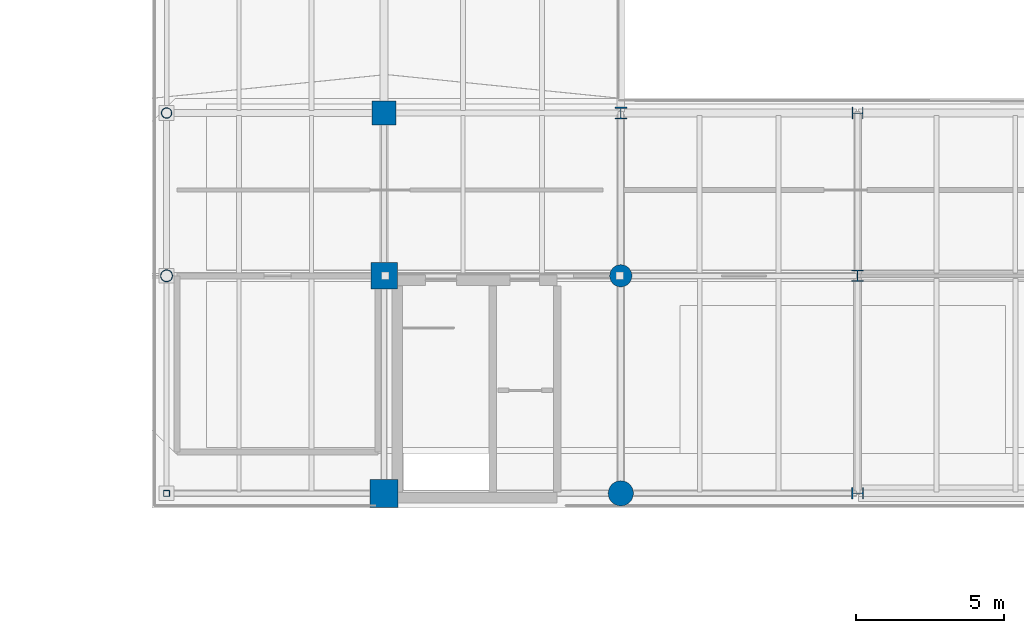
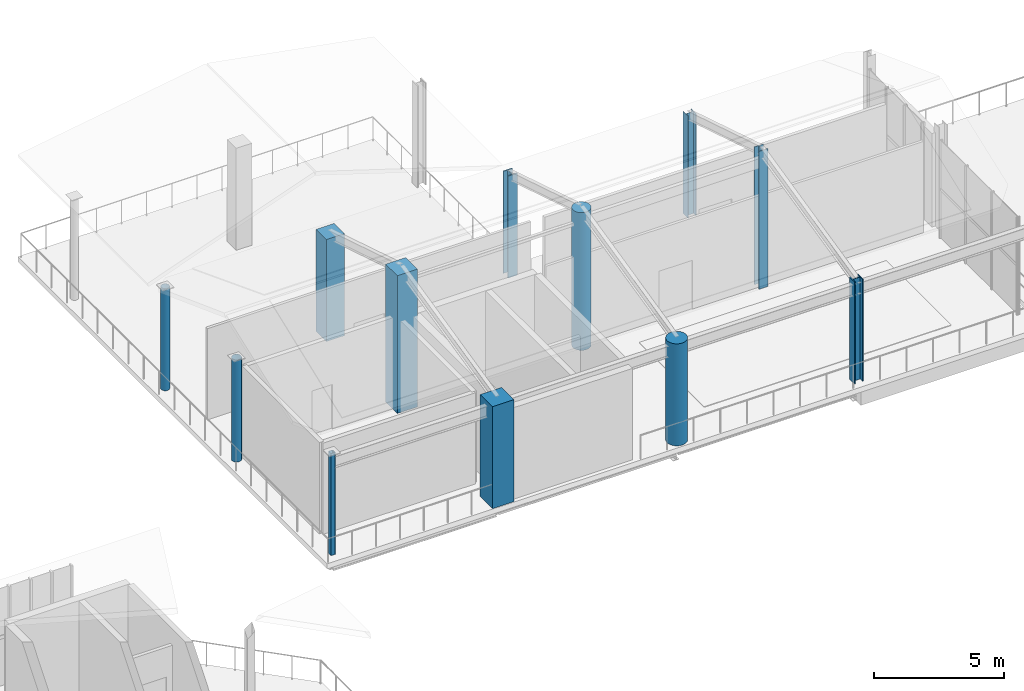
# One storey, part 5 of 30: 12 columns.
"""IFC4 building model written with IfcOpenShell, lengths in metres."""

import ifcopenshell
import ifcopenshell.guid

model = None  # the IFC model being written
_history = None  # IfcOwnerHistory: only IFC2X3 demands one
_inside = {}  # id of a spatial element -> (the spatial element, [elements in it])
_under = {}  # id of a project, library or spatial element -> (it, [spatial elements below it])
_declared = {}  # id of a project -> (the project, [libraries it declares])
_typed = {}  # id of a type object -> (the type object, [elements of that type])
_made_of = {}  # id of a material, layer set ... -> (it, [elements and type objects made of it])


def new_model(schema):
    """Start an empty IFC model of exactly this schema.

    Asked for "IFC4X3", IfcOpenShell would pick the latest addendum, in which some entities
    have other attributes; the version numbers below select the first issue.
    IFC2X3 requires an IfcOwnerHistory on every rooted entity: one is made here for all.
    """
    global model, _history
    if schema == "IFC4X3":
        model = ifcopenshell.file(schema_version=(4, 3, 0, 0))
    else:
        model = ifcopenshell.file(schema=schema)
    _inside.clear()
    _under.clear()
    _declared.clear()
    _typed.clear()
    _made_of.clear()
    _history = None
    if model.schema == "IFC2X3":
        org = make("IfcOrganization", Name="unknown")
        user = make(
            "IfcPersonAndOrganization",
            ThePerson=make("IfcPerson", FamilyName="unknown"),
            TheOrganization=org,
        )
        app = make(
            "IfcApplication",
            ApplicationDeveloper=org,
            Version="unknown",
            ApplicationFullName="unknown",
            ApplicationIdentifier="unknown",
        )
        _history = make(
            "IfcOwnerHistory",
            OwningUser=user,
            OwningApplication=app,
            ChangeAction="ADDED",
            CreationDate=0,
        )
    return model


def make(cls, **values):
    """One entity of the class cls with the attributes given. An attribute that is None is left unset."""
    return model.create_entity(
        cls, **{name: value for name, value in values.items() if value is not None}
    )


def rooted(cls, **values):
    """An entity with a GlobalId (a new one), such as an element, a storey or a relation."""
    return make(cls, GlobalId=ifcopenshell.guid.new(), OwnerHistory=_history, **values)


def si_unit(unit_type, name, prefix=None):
    """IfcSIUnit, for example si_unit("LENGTHUNIT", "METRE", prefix="MILLI")."""
    return make("IfcSIUnit", UnitType=unit_type, Prefix=prefix, Name=name)


def assignment(units):
    """IfcUnitAssignment: the units of a project."""
    return None if units is None else make("IfcUnitAssignment", Units=units)


def point(xyz):
    """IfcCartesianPoint."""
    return None if xyz is None else make("IfcCartesianPoint", Coordinates=xyz)


def direction(xyz):
    """IfcDirection."""
    return None if xyz is None else make("IfcDirection", DirectionRatios=xyz)


def frame(location, z_axis=None, x_axis=None):
    """IfcAxis2Placement3D, a coordinate frame: its origin and axes. An axis left out is left unset."""
    return make(
        "IfcAxis2Placement3D",
        Location=point(location),
        Axis=direction(z_axis),
        RefDirection=direction(x_axis),
    )


def frame_2d(location, x_axis=None):
    """IfcAxis2Placement2D, a coordinate frame in the plane: its origin and x axis."""
    return make(
        "IfcAxis2Placement2D", Location=point(location), RefDirection=direction(x_axis)
    )


def origin():
    """The frame at (0, 0, 0) with its axes left unset."""
    return frame((0.0, 0.0, 0.0))


def origin_2d():
    """The frame at (0, 0) in the plane with its x axis left unset."""
    return frame_2d((0.0, 0.0))


def place(relative_to, where):
    """IfcLocalPlacement: puts the frame where relative to a parent placement (None: the world)."""
    return make(
        "IfcLocalPlacement", PlacementRelTo=relative_to, RelativePlacement=where
    )


def context(
    kind, dimensions, precision=None, world=None, true_north=None, identifier=None
):
    """IfcGeometricRepresentationContext, for example the 3D "Model" context."""
    return make(
        "IfcGeometricRepresentationContext",
        ContextIdentifier=identifier,
        ContextType=kind,
        CoordinateSpaceDimension=dimensions,
        Precision=precision,
        WorldCoordinateSystem=world,
        TrueNorth=true_north,
    )


def subcontext(parent, identifier, kind, view, scale=None):
    """IfcGeometricRepresentationSubContext, for example "Body" below "Model"."""
    return make(
        "IfcGeometricRepresentationSubContext",
        ContextIdentifier=identifier,
        ContextType=kind,
        ParentContext=parent,
        TargetScale=scale,
        TargetView=view,
    )


def project(units=None, contexts=None):
    """IfcProject with its units and contexts."""
    return rooted(
        "IfcProject",
        Name="project",
        RepresentationContexts=contexts,
        UnitsInContext=assignment(units),
    )


def spatial(cls, under=None, at=None, **own):
    """A site, building, storey or space (cls), placed at a placement, below another one or the project."""
    s = rooted(cls, ObjectPlacement=at, **own)
    if under is not None:
        _under.setdefault(under.id(), (under, []))[1].append(s)
    return s


def profile(cls, at=None, kind="AREA", **sizes):
    """A parametric profile (cls). Its sizes go by their IFC names, for example OverallWidth=200.0."""
    return make(cls, ProfileType=kind, Position=at, **sizes)


def rectangle(**sizes):
    """IfcRectangleProfileDef."""
    return profile("IfcRectangleProfileDef", **sizes)


def hollow_rectangle(**sizes):
    """IfcRectangleHollowProfileDef."""
    return profile("IfcRectangleHollowProfileDef", **sizes)


def circle(**sizes):
    """IfcCircleProfileDef."""
    return profile("IfcCircleProfileDef", **sizes)


def hollow_circle(**sizes):
    """IfcCircleHollowProfileDef."""
    return profile("IfcCircleHollowProfileDef", **sizes)


def i_section(**sizes):
    """IfcIShapeProfileDef."""
    return profile("IfcIShapeProfileDef", **sizes)


def extrude(swept, where, along, depth):
    """IfcExtrudedAreaSolid: the profile swept, set in the frame where, extruded along a direction by depth."""
    return make(
        "IfcExtrudedAreaSolid",
        SweptArea=swept,
        Position=where,
        ExtrudedDirection=direction(along),
        Depth=depth,
    )


def shape(context_of_items, identifier, shape_type, items):
    """IfcShapeRepresentation: the items that make up one representation, for example the "Body"."""
    return make(
        "IfcShapeRepresentation",
        ContextOfItems=context_of_items,
        RepresentationIdentifier=identifier,
        RepresentationType=shape_type,
        Items=items,
    )


def material(Name=None, Category=None):
    """IfcMaterial."""
    return make("IfcMaterial", Name=Name, Category=Category)


def material_profile(
    of_material, cross_section, Name=None, Category=None, Priority=None
):
    """IfcMaterialProfile: a cross section and its material."""
    return make(
        "IfcMaterialProfile",
        Name=Name,
        Material=of_material,
        Profile=cross_section,
        Priority=Priority,
        Category=Category,
    )


def profile_set(profiles, Name=None, composite=None):
    """IfcMaterialProfileSet."""
    return make(
        "IfcMaterialProfileSet",
        Name=Name,
        MaterialProfiles=profiles,
        CompositeProfile=composite,
    )


def made_of(thing, what):
    """Note that an element or type object is made of a material, layer set ...; save() writes the relation."""
    if what is not None:
        _made_of.setdefault(what.id(), (what, []))[1].append(thing)
    return thing


def type_object(cls, material=None, **own):
    """A type object (cls), such as IfcWallType, which elements share."""
    return made_of(rooted(cls, **own), material)


def element(
    cls,
    number,
    at=None,
    inside=None,
    cuts=None,
    type_object=None,
    material=None,
    context=None,
    identifier="Body",
    shape_type=None,
    held_by="IfcProductDefinitionShape",
    body=None,
    shapes=None,
    **own,
):
    """One element of the class cls, such as IfcWall. Its Tag is "e" and its number.

    at: its placement. inside: the storey or other place that contains it. cuts: it is an
    opening in that element (IfcRelVoidsElement). A single representation is given by context,
    identifier, shape_type and body (its items); several are given by shapes. held_by: the class
    of the entity that holds the representations. save() writes the other relations.
    """
    e = rooted(cls, Tag="e%d" % number, ObjectPlacement=at, **own)
    if body is not None:
        shapes = [shape(context, identifier, shape_type, body)]
    if shapes is not None:
        e.Representation = make(held_by, Representations=shapes)
    if inside is not None:
        _inside.setdefault(inside.id(), (inside, []))[1].append(e)
    if cuts is not None:
        rooted(
            "IfcRelVoidsElement", RelatingBuildingElement=cuts, RelatedOpeningElement=e
        )
    if type_object is not None:
        _typed.setdefault(type_object.id(), (type_object, []))[1].append(e)
    return made_of(e, material)


def aggregate(whole, parts):
    """IfcRelAggregates: a whole, such as a stair, and the parts it consists of."""
    return rooted("IfcRelAggregates", RelatingObject=whole, RelatedObjects=parts)


def save(model, path):
    """Write the relations noted so far, then the file.

    IfcRelAggregates (storeys below a building ...), IfcRelContainedInSpatialStructure (elements
    in a storey), IfcRelDefinesByType, IfcRelAssociatesMaterial and IfcRelDeclares: one each for
    every whole, place, type object, material and project.
    """
    for whole, parts in _under.values():
        aggregate(whole, parts)
    for where, things in _inside.values():
        rooted(
            "IfcRelContainedInSpatialStructure",
            RelatedElements=things,
            RelatingStructure=where,
        )
    for kind, things in _typed.values():
        rooted("IfcRelDefinesByType", RelatedObjects=things, RelatingType=kind)
    for what, things in _made_of.values():
        rooted("IfcRelAssociatesMaterial", RelatedObjects=things, RelatingMaterial=what)
    for by, libraries in _declared.values():
        rooted("IfcRelDeclares", RelatingContext=by, RelatedDefinitions=libraries)
    model.write(path)


model = new_model("IFC4")

# Units and contexts
model_context = context("Model", 3, precision=1e-05, world=origin(), true_north=direction((0.0, 1.0)))
body_context = subcontext(model_context, "Body", "Model", "MODEL_VIEW")
ifc_project = project(units=[si_unit("LENGTHUNIT", "METRE"), si_unit("AREAUNIT", "SQUARE_METRE"), si_unit("VOLUMEUNIT", "CUBIC_METRE"), si_unit("PLANEANGLEUNIT", "RADIAN"), si_unit("MASSUNIT", "GRAM", prefix="KILO")], contexts=[model_context])

# Site, building, storey
site_placement = place(None, origin())
site = spatial("IfcSite", under=ifc_project, at=site_placement, CompositionType="ELEMENT")
building_placement = place(site_placement, origin())
building = spatial("IfcBuilding", under=site, at=building_placement, Name="Brisemont Oceanarium", CompositionType="ELEMENT")
storey_placement = place(building_placement, frame((0.0, 0.0, 19.800048828125)))
storey = spatial("IfcBuildingStorey", under=building, at=storey_placement, Name="L04", CompositionType="ELEMENT", Elevation=19.800048828125)

# Columns
ifc_material_1 = material(Name="Structural Steel ASTM A500 Gr.C", Category="steel")
ifc_material_profile_1 = material_profile(ifc_material_1, hollow_circle(Radius=0.177978515625, WallThickness=0.01171875, at=origin_2d()), Name="HSS14.000X0.500")
ifc_profile_set_1 = profile_set([ifc_material_profile_1], Name="Structural Steel ASTM A500 Gr.C")
column_type_1 = type_object("IfcColumnType", Name="COL-CHS14", PredefinedType="COLUMN", material=ifc_profile_set_1)
column_1_placement = place(storey_placement, frame((112.64990234375, 93.5, 0.0), z_axis=(0.0, 0.0, 1.0), x_axis=(1.0, 0.0, 0.0)))
element("IfcColumn", 1, at=column_1_placement, inside=storey, type_object=column_type_1, Name="V6 L04 column (0,2)", PredefinedType="COLUMN", context=body_context, shape_type="SweptSolid", body=[
    extrude(hollow_circle(Radius=0.177978515625, WallThickness=0.01171875, at=origin_2d()), origin(), (0.0, 0.0, 1.0), 4.800048828125),
])
ifc_material_2 = material(Name="Structural Steel ASTM A500 Gr.C", Category="steel")
ifc_material_profile_2 = material_profile(ifc_material_2, hollow_circle(Radius=0.202880859375, WallThickness=0.01171875, at=origin_2d()), Name="HSS16.000X0.500")
ifc_profile_set_2 = profile_set([ifc_material_profile_2], Name="Structural Steel ASTM A500 Gr.C")
column_type_2 = type_object("IfcColumnType", Name="COL-CHS16", PredefinedType="COLUMN", material=ifc_profile_set_2)
column_2_placement = place(storey_placement, frame((112.64990234375, 88.0, 0.0), z_axis=(0.0, 0.0, 1.0), x_axis=(0.0, 1.0, 0.0)))
element("IfcColumn", 2, at=column_2_placement, inside=storey, type_object=column_type_2, Name="V6 L04 column (0,1)", PredefinedType="COLUMN", context=body_context, shape_type="SweptSolid", body=[
    extrude(hollow_circle(Radius=0.202880859375, WallThickness=0.01171875, at=origin_2d()), origin(), (0.0, 0.0, 1.0), 4.800048828125),
])
ifc_material_3 = material(Name="Structural Steel ASTM A500 Gr.C", Category="steel")
ifc_material_profile_3 = material_profile(ifc_material_3, hollow_rectangle(XDim=0.202880859375, YDim=0.202880859375, WallThickness=0.0087890625, InnerFilletRadius=0.009033203125, OuterFilletRadius=0.01806640625, at=origin_2d()), Name="HSS8X8X3/8")
ifc_profile_set_3 = profile_set([ifc_material_profile_3], Name="Structural Steel ASTM A500 Gr.C")
column_type_3 = type_object("IfcColumnType", Name="COL-HSS8X8", PredefinedType="COLUMN", material=ifc_profile_set_3)
column_3_placement = place(storey_placement, frame((112.64990234375, 80.64990234375, 0.0), z_axis=(0.0, 0.0, 1.0), x_axis=(1.0, 0.0, 0.0)))
element("IfcColumn", 3, at=column_3_placement, inside=storey, type_object=column_type_3, Name="V6 L04 column (0,0)", PredefinedType="COLUMN", context=body_context, shape_type="SweptSolid", body=[
    extrude(hollow_rectangle(XDim=0.202880859375, YDim=0.202880859375, WallThickness=0.0087890625, InnerFilletRadius=0.009033203125, OuterFilletRadius=0.01806640625, at=origin_2d()), origin(), (0.0, 0.0, 1.0), 4.800048828125),
])
ifc_material_4 = material(Name="Concrete C40/50", Category="concrete")
ifc_material_profile_4 = material_profile(ifc_material_4, rectangle(XDim=0.800048828125, YDim=0.800048828125, at=origin_2d()), Name="RC-COL-800X800")
ifc_profile_set_4 = profile_set([ifc_material_profile_4], Name="Concrete C40/50")
column_type_4 = type_object("IfcColumnType", Name="COL-RC800", PredefinedType="COLUMN", material=ifc_profile_set_4)
column_4_placement = place(storey_placement, frame((120.0, 93.5, 0.0), z_axis=(0.0, 0.0, 1.0), x_axis=(0.0, 1.0, 0.0)))
element("IfcColumn", 4, at=column_4_placement, inside=storey, type_object=column_type_4, Name="V6 L04 column (1,2)", PredefinedType="COLUMN", context=body_context, shape_type="SweptSolid", body=[
    extrude(rectangle(XDim=0.800048828125, YDim=0.800048828125, at=origin_2d()), origin(), (0.0, 0.0, 1.0), 4.800048828125),
])
ifc_material_5 = material(Name="Concrete C40/50", Category="concrete")
ifc_material_profile_5 = material_profile(ifc_material_5, rectangle(XDim=0.89990234375, YDim=0.89990234375, at=origin_2d()), Name="RC-COL-900X900")
ifc_profile_set_5 = profile_set([ifc_material_profile_5], Name="Concrete C40/50")
column_type_5 = type_object("IfcColumnType", Name="COL-RC900", PredefinedType="COLUMN", material=ifc_profile_set_5)
column_5_placement = place(storey_placement, frame((120.0, 88.0, 0.0), z_axis=(0.0, 0.0, 1.0), x_axis=(1.0, 0.0, 0.0)))
element("IfcColumn", 5, at=column_5_placement, inside=storey, type_object=column_type_5, Name="V6 L04 column (1,1)", PredefinedType="COLUMN", context=body_context, shape_type="SweptSolid", body=[
    extrude(rectangle(XDim=0.89990234375, YDim=0.89990234375, at=origin_2d()), origin(), (0.0, 0.0, 1.0), 6.47998046875),
])
ifc_material_6 = material(Name="Concrete C40/50", Category="concrete")
ifc_material_profile_6 = material_profile(ifc_material_6, rectangle(XDim=0.949951171875, YDim=0.949951171875, at=origin_2d()), Name="RC-COL-950X950")
ifc_profile_set_6 = profile_set([ifc_material_profile_6], Name="Concrete C40/50")
column_type_6 = type_object("IfcColumnType", Name="COL-RC950", PredefinedType="COLUMN", material=ifc_profile_set_6)
column_6_placement = place(storey_placement, frame((120.0, 80.64990234375, 0.0), z_axis=(0.0, 0.0, 1.0), x_axis=(0.0, 1.0, 0.0)))
element("IfcColumn", 6, at=column_6_placement, inside=storey, type_object=column_type_6, Name="V6 L04 column (1,0)", PredefinedType="COLUMN", context=body_context, shape_type="SweptSolid", body=[
    extrude(rectangle(XDim=0.949951171875, YDim=0.949951171875, at=origin_2d()), origin(), (0.0, 0.0, 1.0), 4.800048828125),
])
ifc_material_7 = material(Name="Concrete C40/50", Category="concrete")
ifc_material_profile_7 = material_profile(ifc_material_7, circle(Radius=0.375, at=origin_2d()), Name="RC-COL-D750")
ifc_profile_set_7 = profile_set([ifc_material_profile_7], Name="Concrete C40/50")
column_type_7 = type_object("IfcColumnType", Name="COL-RCD750", PredefinedType="COLUMN", material=ifc_profile_set_7)
column_7_placement = place(storey_placement, frame((128.0, 88.0, 0.0), z_axis=(0.0, 0.0, 1.0), x_axis=(0.0, 1.0, 0.0)))
element("IfcColumn", 7, at=column_7_placement, inside=storey, type_object=column_type_7, Name="V6 L04 column (2,1)", PredefinedType="COLUMN", context=body_context, shape_type="SweptSolid", body=[
    extrude(circle(Radius=0.375, at=origin_2d()), origin(), (0.0, 0.0, 1.0), 6.47998046875),
])
ifc_material_8 = material(Name="Concrete C40/50", Category="concrete")
ifc_material_profile_8 = material_profile(ifc_material_8, circle(Radius=0.425048828125, at=origin_2d()), Name="RC-COL-D850")
ifc_profile_set_8 = profile_set([ifc_material_profile_8], Name="Concrete C40/50")
column_type_8 = type_object("IfcColumnType", Name="COL-RCD850", PredefinedType="COLUMN", material=ifc_profile_set_8)
column_8_placement = place(storey_placement, frame((128.0, 80.64990234375, 0.0), z_axis=(0.0, 0.0, 1.0), x_axis=(1.0, 0.0, 0.0)))
element("IfcColumn", 8, at=column_8_placement, inside=storey, type_object=column_type_8, Name="V6 L04 column (2,0)", PredefinedType="COLUMN", context=body_context, shape_type="SweptSolid", body=[
    extrude(circle(Radius=0.425048828125, at=origin_2d()), origin(), (0.0, 0.0, 1.0), 4.800048828125),
])
ifc_material_9 = material(Name="Structural Steel ASTM A992 Gr.50", Category="steel")
ifc_material_profile_9 = material_profile(ifc_material_9, i_section(OverallWidth=0.39501953125, OverallDepth=0.3798828125, WebThickness=0.018798828125, FlangeThickness=0.0302734375, FilletRadius=0.014892578125, at=origin_2d()), Name="W14X159")
ifc_profile_set_9 = profile_set([ifc_material_profile_9], Name="Structural Steel ASTM A992 Gr.50")
column_type_9 = type_object("IfcColumnType", Name="COL-W14X159", PredefinedType="COLUMN", material=ifc_profile_set_9)
column_9_placement = place(storey_placement, frame((136.0, 93.5, 0.0), z_axis=(0.0, 0.0, 1.0), x_axis=(0.0, 1.0, 0.0)))
element("IfcColumn", 9, at=column_9_placement, inside=storey, type_object=column_type_9, Name="V6 L04 column (3,2)", PredefinedType="COLUMN", context=body_context, shape_type="SweptSolid", body=[
    extrude(i_section(OverallWidth=0.39501953125, OverallDepth=0.3798828125, WebThickness=0.018798828125, FlangeThickness=0.0302734375, FilletRadius=0.014892578125, at=origin_2d()), origin(), (0.0, 0.0, 1.0), 4.800048828125),
])
ifc_material_10 = material(Name="Structural Steel ASTM A992 Gr.50", Category="steel")
ifc_material_profile_10 = material_profile(ifc_material_10, i_section(OverallWidth=0.39892578125, OverallDepth=0.385986328125, WebThickness=0.02099609375, FlangeThickness=0.033203125, FilletRadius=0.014892578125, at=origin_2d()), Name="W14X176")
ifc_profile_set_10 = profile_set([ifc_material_profile_10], Name="Structural Steel ASTM A992 Gr.50")
column_type_10 = type_object("IfcColumnType", Name="COL-W14X176", PredefinedType="COLUMN", material=ifc_profile_set_10)
column_10_placement = place(storey_placement, frame((136.0, 88.0, 0.0), z_axis=(0.0, 0.0, 1.0), x_axis=(1.0, 0.0, 0.0)))
element("IfcColumn", 10, at=column_10_placement, inside=storey, type_object=column_type_10, Name="V6 L04 column (3,1)", PredefinedType="COLUMN", context=body_context, shape_type="SweptSolid", body=[
    extrude(i_section(OverallWidth=0.39892578125, OverallDepth=0.385986328125, WebThickness=0.02099609375, FlangeThickness=0.033203125, FilletRadius=0.014892578125, at=origin_2d()), origin(), (0.0, 0.0, 1.0), 6.47998046875),
])
ifc_material_11 = material(Name="Structural Steel ASTM A992 Gr.50", Category="steel")
ifc_material_profile_11 = material_profile(ifc_material_11, i_section(OverallWidth=0.39990234375, OverallDepth=0.39306640625, WebThickness=0.022705078125, FlangeThickness=0.03662109375, FilletRadius=0.014892578125, at=origin_2d()), Name="W14X193")
ifc_profile_set_11 = profile_set([ifc_material_profile_11], Name="Structural Steel ASTM A992 Gr.50")
column_type_11 = type_object("IfcColumnType", Name="COL-W14X193", PredefinedType="COLUMN", material=ifc_profile_set_11)
column_11_placement = place(storey_placement, frame((136.0, 80.64990234375, 0.0), z_axis=(0.0, 0.0, 1.0), x_axis=(0.0, 1.0, 0.0)))
element("IfcColumn", 11, at=column_11_placement, inside=storey, type_object=column_type_11, Name="V6 L04 column (3,0)", PredefinedType="COLUMN", context=body_context, shape_type="SweptSolid", body=[
    extrude(i_section(OverallWidth=0.39990234375, OverallDepth=0.39306640625, WebThickness=0.022705078125, FlangeThickness=0.03662109375, FilletRadius=0.014892578125, at=origin_2d()), origin(), (0.0, 0.0, 1.0), 4.800048828125),
])
ifc_material_12 = material(Name="Structural Steel ASTM A992 Gr.50", Category="steel")
ifc_material_profile_12 = material_profile(ifc_material_12, i_section(OverallWidth=0.406005859375, OverallDepth=0.416015625, WebThickness=0.02978515625, FlangeThickness=0.048095703125, FilletRadius=0.014892578125, at=origin_2d()), Name="W14X257")
ifc_profile_set_12 = profile_set([ifc_material_profile_12], Name="Structural Steel ASTM A992 Gr.50")
column_type_12 = type_object("IfcColumnType", Name="COL-W14X257", PredefinedType="COLUMN", material=ifc_profile_set_12)
column_12_placement = place(storey_placement, frame((128.0, 93.5, 0.0), z_axis=(0.0, 0.0, 1.0), x_axis=(1.0, 0.0, 0.0)))
element("IfcColumn", 12, at=column_12_placement, inside=storey, type_object=column_type_12, Name="V6 L04 column (2,2)", PredefinedType="COLUMN", context=body_context, shape_type="SweptSolid", body=[
    extrude(i_section(OverallWidth=0.406005859375, OverallDepth=0.416015625, WebThickness=0.02978515625, FlangeThickness=0.048095703125, FilletRadius=0.014892578125, at=origin_2d()), origin(), (0.0, 0.0, 1.0), 4.800048828125),
])

save(model, "model.ifc")
